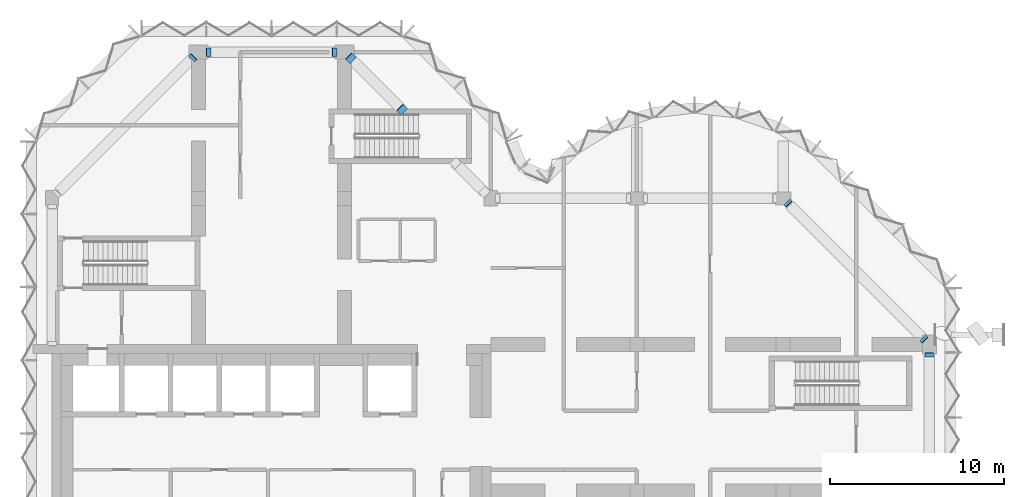
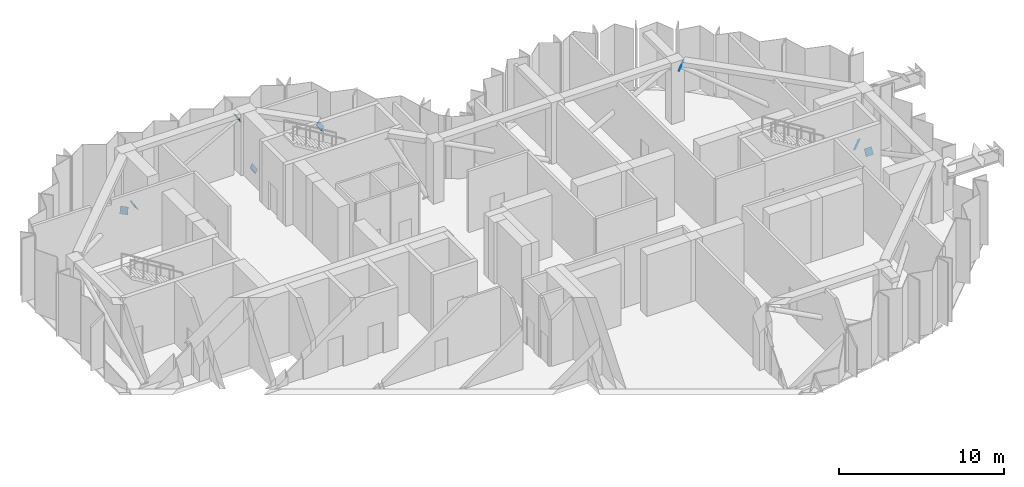
# One storey, part 7 of 13: 8 discrete accessories.
"""IFC4 building model written with IfcOpenShell, lengths in metres."""

import ifcopenshell
import ifcopenshell.guid

model = None  # the IFC model being written
_history = None  # IfcOwnerHistory: only IFC2X3 demands one
_inside = {}  # id of a spatial element -> (the spatial element, [elements in it])
_under = {}  # id of a project, library or spatial element -> (it, [spatial elements below it])
_declared = {}  # id of a project -> (the project, [libraries it declares])
_typed = {}  # id of a type object -> (the type object, [elements of that type])
_made_of = {}  # id of a material, layer set ... -> (it, [elements and type objects made of it])


def new_model(schema):
    """Start an empty IFC model of exactly this schema.

    Asked for "IFC4X3", IfcOpenShell would pick the latest addendum, in which some entities
    have other attributes; the version numbers below select the first issue.
    IFC2X3 requires an IfcOwnerHistory on every rooted entity: one is made here for all.
    """
    global model, _history
    if schema == "IFC4X3":
        model = ifcopenshell.file(schema_version=(4, 3, 0, 0))
    else:
        model = ifcopenshell.file(schema=schema)
    _inside.clear()
    _under.clear()
    _declared.clear()
    _typed.clear()
    _made_of.clear()
    _history = None
    if model.schema == "IFC2X3":
        org = make("IfcOrganization", Name="unknown")
        user = make(
            "IfcPersonAndOrganization",
            ThePerson=make("IfcPerson", FamilyName="unknown"),
            TheOrganization=org,
        )
        app = make(
            "IfcApplication",
            ApplicationDeveloper=org,
            Version="unknown",
            ApplicationFullName="unknown",
            ApplicationIdentifier="unknown",
        )
        _history = make(
            "IfcOwnerHistory",
            OwningUser=user,
            OwningApplication=app,
            ChangeAction="ADDED",
            CreationDate=0,
        )
    return model


def make(cls, **values):
    """One entity of the class cls with the attributes given. An attribute that is None is left unset."""
    return model.create_entity(
        cls, **{name: value for name, value in values.items() if value is not None}
    )


def rooted(cls, **values):
    """An entity with a GlobalId (a new one), such as an element, a storey or a relation."""
    return make(cls, GlobalId=ifcopenshell.guid.new(), OwnerHistory=_history, **values)


def si_unit(unit_type, name, prefix=None):
    """IfcSIUnit, for example si_unit("LENGTHUNIT", "METRE", prefix="MILLI")."""
    return make("IfcSIUnit", UnitType=unit_type, Prefix=prefix, Name=name)


def assignment(units):
    """IfcUnitAssignment: the units of a project."""
    return None if units is None else make("IfcUnitAssignment", Units=units)


def point(xyz):
    """IfcCartesianPoint."""
    return None if xyz is None else make("IfcCartesianPoint", Coordinates=xyz)


def direction(xyz):
    """IfcDirection."""
    return None if xyz is None else make("IfcDirection", DirectionRatios=xyz)


def frame(location, z_axis=None, x_axis=None):
    """IfcAxis2Placement3D, a coordinate frame: its origin and axes. An axis left out is left unset."""
    return make(
        "IfcAxis2Placement3D",
        Location=point(location),
        Axis=direction(z_axis),
        RefDirection=direction(x_axis),
    )


def frame_2d(location, x_axis=None):
    """IfcAxis2Placement2D, a coordinate frame in the plane: its origin and x axis."""
    return make(
        "IfcAxis2Placement2D", Location=point(location), RefDirection=direction(x_axis)
    )


def origin():
    """The frame at (0, 0, 0) with its axes left unset."""
    return frame((0.0, 0.0, 0.0))


def origin_2d():
    """The frame at (0, 0) in the plane with its x axis left unset."""
    return frame_2d((0.0, 0.0))


def place(relative_to, where):
    """IfcLocalPlacement: puts the frame where relative to a parent placement (None: the world)."""
    return make(
        "IfcLocalPlacement", PlacementRelTo=relative_to, RelativePlacement=where
    )


def context(
    kind, dimensions, precision=None, world=None, true_north=None, identifier=None
):
    """IfcGeometricRepresentationContext, for example the 3D "Model" context."""
    return make(
        "IfcGeometricRepresentationContext",
        ContextIdentifier=identifier,
        ContextType=kind,
        CoordinateSpaceDimension=dimensions,
        Precision=precision,
        WorldCoordinateSystem=world,
        TrueNorth=true_north,
    )


def subcontext(parent, identifier, kind, view, scale=None):
    """IfcGeometricRepresentationSubContext, for example "Body" below "Model"."""
    return make(
        "IfcGeometricRepresentationSubContext",
        ContextIdentifier=identifier,
        ContextType=kind,
        ParentContext=parent,
        TargetScale=scale,
        TargetView=view,
    )


def project(units=None, contexts=None):
    """IfcProject with its units and contexts."""
    return rooted(
        "IfcProject",
        Name="project",
        RepresentationContexts=contexts,
        UnitsInContext=assignment(units),
    )


def spatial(cls, under=None, at=None, **own):
    """A site, building, storey or space (cls), placed at a placement, below another one or the project."""
    s = rooted(cls, ObjectPlacement=at, **own)
    if under is not None:
        _under.setdefault(under.id(), (under, []))[1].append(s)
    return s


def profile(cls, at=None, kind="AREA", **sizes):
    """A parametric profile (cls). Its sizes go by their IFC names, for example OverallWidth=200.0."""
    return make(cls, ProfileType=kind, Position=at, **sizes)


def rectangle(**sizes):
    """IfcRectangleProfileDef."""
    return profile("IfcRectangleProfileDef", **sizes)


def extrude(swept, where, along, depth):
    """IfcExtrudedAreaSolid: the profile swept, set in the frame where, extruded along a direction by depth."""
    return make(
        "IfcExtrudedAreaSolid",
        SweptArea=swept,
        Position=where,
        ExtrudedDirection=direction(along),
        Depth=depth,
    )


def shape(context_of_items, identifier, shape_type, items):
    """IfcShapeRepresentation: the items that make up one representation, for example the "Body"."""
    return make(
        "IfcShapeRepresentation",
        ContextOfItems=context_of_items,
        RepresentationIdentifier=identifier,
        RepresentationType=shape_type,
        Items=items,
    )


def material(Name=None, Category=None):
    """IfcMaterial."""
    return make("IfcMaterial", Name=Name, Category=Category)


def layer(
    of_material, thickness, ventilated=None, Name=None, Category=None, Priority=None
):
    """IfcMaterialLayer: one layer of a wall or slab, of a material (None: an air gap)."""
    return make(
        "IfcMaterialLayer",
        Material=of_material,
        LayerThickness=thickness,
        IsVentilated=ventilated,
        Name=Name,
        Category=Category,
        Priority=Priority,
    )


def layer_set(layers, Name=None):
    """IfcMaterialLayerSet."""
    return make("IfcMaterialLayerSet", MaterialLayers=layers, LayerSetName=Name)


def made_of(thing, what):
    """Note that an element or type object is made of a material, layer set ...; save() writes the relation."""
    if what is not None:
        _made_of.setdefault(what.id(), (what, []))[1].append(thing)
    return thing


def type_object(cls, material=None, **own):
    """A type object (cls), such as IfcWallType, which elements share."""
    return made_of(rooted(cls, **own), material)


def element(
    cls,
    number,
    at=None,
    inside=None,
    cuts=None,
    type_object=None,
    material=None,
    context=None,
    identifier="Body",
    shape_type=None,
    held_by="IfcProductDefinitionShape",
    body=None,
    shapes=None,
    **own,
):
    """One element of the class cls, such as IfcWall. Its Tag is "e" and its number.

    at: its placement. inside: the storey or other place that contains it. cuts: it is an
    opening in that element (IfcRelVoidsElement). A single representation is given by context,
    identifier, shape_type and body (its items); several are given by shapes. held_by: the class
    of the entity that holds the representations. save() writes the other relations.
    """
    e = rooted(cls, Tag="e%d" % number, ObjectPlacement=at, **own)
    if body is not None:
        shapes = [shape(context, identifier, shape_type, body)]
    if shapes is not None:
        e.Representation = make(held_by, Representations=shapes)
    if inside is not None:
        _inside.setdefault(inside.id(), (inside, []))[1].append(e)
    if cuts is not None:
        rooted(
            "IfcRelVoidsElement", RelatingBuildingElement=cuts, RelatedOpeningElement=e
        )
    if type_object is not None:
        _typed.setdefault(type_object.id(), (type_object, []))[1].append(e)
    return made_of(e, material)


def aggregate(whole, parts):
    """IfcRelAggregates: a whole, such as a stair, and the parts it consists of."""
    return rooted("IfcRelAggregates", RelatingObject=whole, RelatedObjects=parts)


def save(model, path):
    """Write the relations noted so far, then the file.

    IfcRelAggregates (storeys below a building ...), IfcRelContainedInSpatialStructure (elements
    in a storey), IfcRelDefinesByType, IfcRelAssociatesMaterial and IfcRelDeclares: one each for
    every whole, place, type object, material and project.
    """
    for whole, parts in _under.values():
        aggregate(whole, parts)
    for where, things in _inside.values():
        rooted(
            "IfcRelContainedInSpatialStructure",
            RelatedElements=things,
            RelatingStructure=where,
        )
    for kind, things in _typed.values():
        rooted("IfcRelDefinesByType", RelatedObjects=things, RelatingType=kind)
    for what, things in _made_of.values():
        rooted("IfcRelAssociatesMaterial", RelatedObjects=things, RelatingMaterial=what)
    for by, libraries in _declared.values():
        rooted("IfcRelDeclares", RelatingContext=by, RelatedDefinitions=libraries)
    model.write(path)


model = new_model("IFC4")

# Units and contexts
model_context = context("Model", 3, precision=1e-05, world=origin(), true_north=direction((0.0, 1.0)))
body_context = subcontext(model_context, "Body", "Model", "MODEL_VIEW")
ifc_project = project(units=[si_unit("LENGTHUNIT", "METRE"), si_unit("AREAUNIT", "SQUARE_METRE"), si_unit("VOLUMEUNIT", "CUBIC_METRE"), si_unit("PLANEANGLEUNIT", "RADIAN"), si_unit("MASSUNIT", "GRAM", prefix="KILO")], contexts=[model_context])

# Site, building, storey
site_placement = place(None, origin())
site = spatial("IfcSite", under=ifc_project, at=site_placement, CompositionType="ELEMENT")
building_placement = place(site_placement, origin())
building = spatial("IfcBuilding", under=site, at=building_placement, Name="Brevane Broadcast Tower", CompositionType="ELEMENT")
storey_placement = place(building_placement, frame((0.0, 0.0, 210.89990234375)))
storey = spatial("IfcBuildingStorey", under=building, at=storey_placement, Name="L53", CompositionType="ELEMENT", Elevation=210.89990234375)

# Discrete accessories
ifc_material = material(Name="Steel S355", Category="steel")
ifc_layer = layer(ifc_material, 0.0400390625)
ifc_layer_set = layer_set([ifc_layer], Name="Gusset plate 500x500x40 S355")
discrete_accessory_type = type_object("IfcDiscreteAccessoryType", Name="Gusset plate 500x500x40 S355", PredefinedType="ANCHORPLATE", material=ifc_layer_set)
for number, where, z_axis, x_axis, name in (
    (1, (50.39990234375, 16.23779296875, 0.123291015625), (0.0, -0.879291966537, 0.476283148541), (1.0, 0.0, 0.0), "Gusset plate GP3-40"),
    (2, (50.104248046875, 17.095947265625, 0.22998046875), (-0.670719238679, 0.664621791054, 0.329262171715), (-0.703870645189, -0.710328174044, 0.0), "Gusset plate GP3-42"),
    (3, (42.297607421875, 24.90234375, 4.047119140625), (-0.669327136167, 0.669327136167, 0.32249398379), (-0.707106781187, -0.707106781187, 0.0), "Gusset plate GP3-43"),
):
    element("IfcDiscreteAccessory", number, at=place(storey_placement, frame(where, z_axis=z_axis, x_axis=x_axis)), inside=storey, type_object=discrete_accessory_type, Name=name, PredefinedType="ANCHORPLATE", context=body_context, shape_type="SweptSolid", body=[
        extrude(rectangle(XDim=0.5, YDim=0.5, at=origin_2d()), origin(), (0.0, 0.0, 1.0), 0.0400390625),
    ])
discrete_accessory_1_placement = place(storey_placement, frame((17.142822265625, 33.257080078125, 0.180908203125), z_axis=(0.514495755428, -0.514495755428, 0.68599434057), x_axis=(0.707106781187, 0.707106781187, 0.0)))
element("IfcDiscreteAccessory", 4, at=discrete_accessory_1_placement, inside=storey, type_object=discrete_accessory_type, Name="Gusset plate GP3-48", PredefinedType="ANCHORPLATE", context=body_context, shape_type="SweptSolid", body=[
    extrude(rectangle(XDim=0.5, YDim=0.5, at=origin_2d()), origin(), (0.0, 0.0, 1.0), 0.039794921875),
])
for number, where, z_axis, x_axis, name in (
    (5, (20.086669921875, 30.3134765625, 4.08203125), (0.512872509133, -0.518978134242, 0.683830012177), (0.711278393173, 0.702910412077, 0.0), "Gusset plate GP3-49"),
    (6, (8.962158203125, 33.60009765625, 0.123291015625), (0.879291966537, 0.0, 0.476283148541), (0.0, 1.0, 0.0), "Gusset plate GP3-52"),
    (7, (16.20263671875, 33.60009765625, 4.057861328125), (0.879291966537, 0.0, 0.476283148541), (0.0, 1.0, 0.0), "Gusset plate GP3-53"),
):
    element("IfcDiscreteAccessory", number, at=place(storey_placement, frame(where, z_axis=z_axis, x_axis=x_axis)), inside=storey, type_object=discrete_accessory_type, Name=name, PredefinedType="ANCHORPLATE", context=body_context, shape_type="SweptSolid", body=[
        extrude(rectangle(XDim=0.5, YDim=0.5, at=origin_2d()), origin(), (0.0, 0.0, 1.0), 0.0400390625),
    ])
discrete_accessory_2_placement = place(storey_placement, frame((8.104248046875, 33.30419921875, 0.22998046875), z_axis=(-0.668005245132, -0.668005245132, 0.32792984761), x_axis=(0.707106781187, -0.707106781187, 0.0)))
element("IfcDiscreteAccessory", 8, at=discrete_accessory_2_placement, inside=storey, type_object=discrete_accessory_type, Name="Gusset plate GP3-54", PredefinedType="ANCHORPLATE", context=body_context, shape_type="SweptSolid", body=[
    extrude(rectangle(XDim=0.5, YDim=0.5, at=origin_2d()), origin(), (0.0, 0.0, 1.0), 0.040283203125),
])

save(model, "model.ifc")
